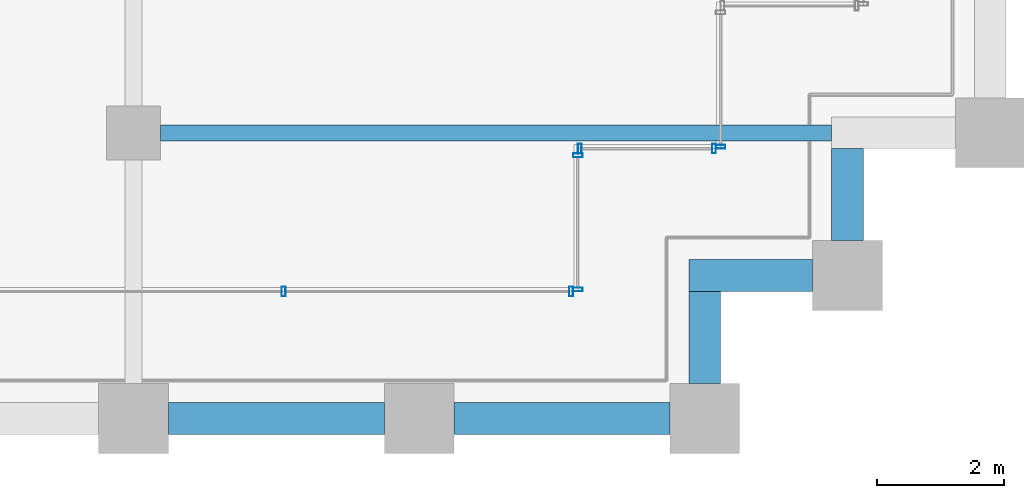
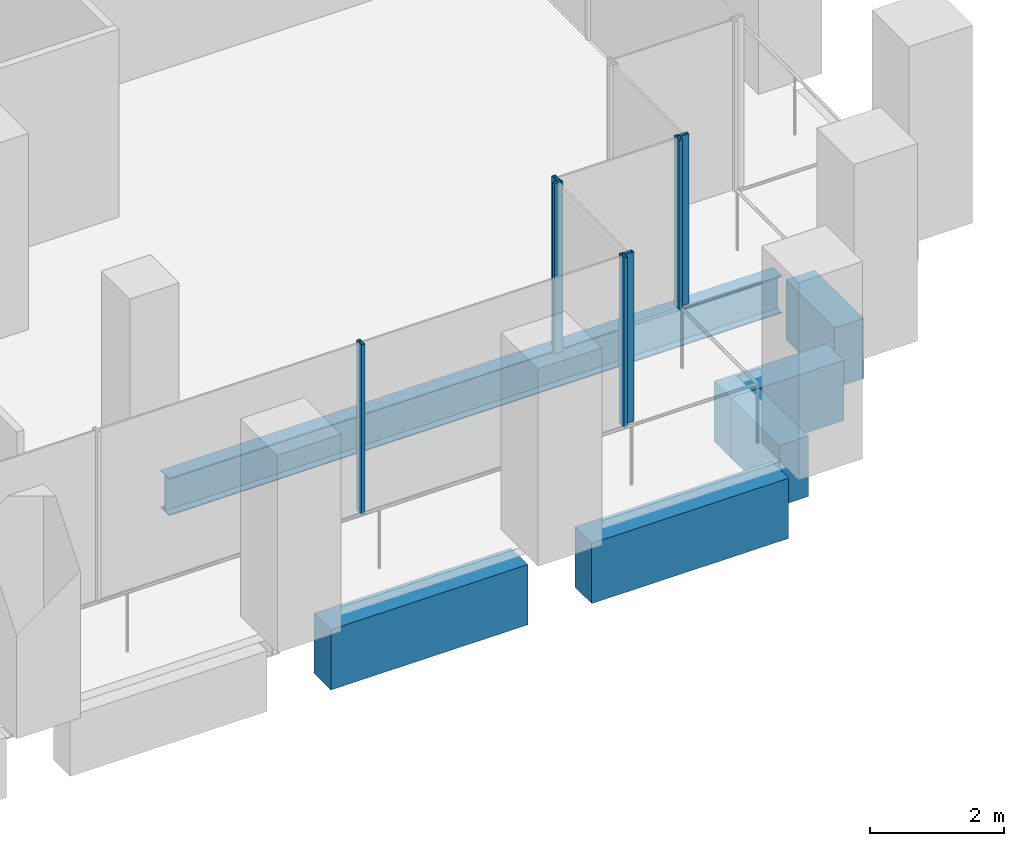
# One storey, part 15 of 54: 7 members, 6 beams, 4 elements without a shape of their own.
"""IFC4 building model written with IfcOpenShell, lengths in metres."""

from ifc_helpers import new_model, si_unit, direction, frame, origin, origin_2d, place, context, subcontext, project, spatial, rectangle, hollow_rectangle, i_section, extrude, material, material_profile, profile_set, type_object, element, aggregate, save


model = new_model("IFC4")

# Units and contexts
model_context = context("Model", 3, precision=1e-05, world=origin(), true_north=direction((0.0, 1.0)))
body_context = subcontext(model_context, "Body", "Model", "MODEL_VIEW")
ifc_project = project(units=[si_unit("LENGTHUNIT", "METRE"), si_unit("AREAUNIT", "SQUARE_METRE"), si_unit("VOLUMEUNIT", "CUBIC_METRE"), si_unit("PLANEANGLEUNIT", "RADIAN"), si_unit("MASSUNIT", "GRAM", prefix="KILO")], contexts=[model_context])

# Site, building, storey
site_placement = place(None, origin())
site = spatial("IfcSite", under=ifc_project, at=site_placement, CompositionType="ELEMENT")
building_placement = place(site_placement, origin())
building = spatial("IfcBuilding", under=site, at=building_placement, Name="Altepetl Exchange Towers", CompositionType="ELEMENT")
storey_placement = place(building_placement, frame((0.0, 0.0, 58.199951171875)))
storey = spatial("IfcBuildingStorey", under=building, at=storey_placement, Name="L13", CompositionType="ELEMENT", Elevation=58.199951171875)

# Beam
ifc_material_1 = material(Name="Steel S355", Category="steel")
ifc_material_profile_1 = material_profile(ifc_material_1, i_section(OverallWidth=0.25390625, OverallDepth=0.68408203125, WebThickness=0.012451171875, FlangeThickness=0.018798828125, at=origin_2d()), Name="W27X94")
ifc_profile_set_1 = profile_set([ifc_material_profile_1], Name="Steel S355")
beam_type_1 = type_object("IfcBeamType", Name="Floor beam W27X94", PredefinedType="BEAM", material=ifc_profile_set_1)
beam_1_placement = place(storey_placement, frame((58.925048828125, 31.5, -0.491943359375), z_axis=(1.0, 0.0, 0.0), x_axis=(0.0, 1.0, 0.0)))
element("IfcBeam", 1, at=beam_1_placement, inside=storey, type_object=beam_type_1, Name="bm:A:L13:006", PredefinedType="BEAM", context=body_context, shape_type="SweptSolid", body=[
    extrude(i_section(OverallWidth=0.25390625, OverallDepth=0.68408203125, WebThickness=0.012451171875, FlangeThickness=0.018798828125, at=origin_2d()), origin(), (0.0, 0.0, 1.0), 10.574951171875),
])

# Curtain wall, members
ifc_material_2 = material(Name="Aluminium 6063-T6 glazing", Category="aluminium")
curtain_wall_type = type_object("IfcCurtainWallType", Name="Loggia glazing system", PredefinedType="NOTDEFINED", material=ifc_material_2)
curtain_wall_1_placement = place(storey_placement, origin())
curtain_wall_1 = element("IfcCurtainWall", 2, at=curtain_wall_1_placement, inside=storey, type_object=curtain_wall_type, Name="CW1 run", PredefinedType="NOTDEFINED")
ifc_material_3 = material(Name="Aluminium 6063-T6", Category="aluminium")
ifc_material_profile_2 = material_profile(ifc_material_3, hollow_rectangle(XDim=0.06005859375, YDim=0.14990234375, WallThickness=0.0029296875, at=origin_2d()), Name="Mullion 60x150 aluminium")
ifc_profile_set_2 = profile_set([ifc_material_profile_2], Name="Aluminium 6063-T6")
member_type = type_object("IfcMemberType", Name="Mullion 60x150 aluminium", PredefinedType="MULLION", material=ifc_profile_set_2)
member_1_placement = place(storey_placement, frame((60.8642578125, 29.0, 0.0)))
member_1 = element("IfcMember", 3, at=member_1_placement, type_object=member_type, Name="MU1 mullion", PredefinedType="MULLION", context=body_context, shape_type="SweptSolid", body=[
    extrude(hollow_rectangle(XDim=0.06005859375, YDim=0.14990234375, WallThickness=0.0029296875, at=origin_2d()), origin(), (0.0, 0.0, 1.0), 3.10009765625),
])
member_2_placement = place(storey_placement, frame((65.39501953125, 29.0, 0.0)))
member_2 = element("IfcMember", 4, at=member_2_placement, type_object=member_type, Name="MU1 mullion", PredefinedType="MULLION", context=body_context, shape_type="SweptSolid", body=[
    extrude(hollow_rectangle(XDim=0.06005859375, YDim=0.14990234375, WallThickness=0.0029296875, at=origin_2d()), origin(), (0.0, 0.0, 1.0), 3.10009765625),
])
aggregate(curtain_wall_1, [member_1, member_2])

curtain_wall_2_placement = place(storey_placement, origin())
curtain_wall_2 = element("IfcCurtainWall", 5, at=curtain_wall_2_placement, inside=storey, type_object=curtain_wall_type, Name="CW1 run", PredefinedType="NOTDEFINED")
member_3_placement = place(storey_placement, frame((65.5, 29.030029296875, 0.0), z_axis=(0.0, 0.0, 1.0), x_axis=(0.0, 1.0, 0.0)))
member_3 = element("IfcMember", 6, at=member_3_placement, type_object=member_type, Name="MU1 mullion", PredefinedType="MULLION", context=body_context, shape_type="SweptSolid", body=[
    extrude(hollow_rectangle(XDim=0.06005859375, YDim=0.14990234375, WallThickness=0.0029296875, at=origin_2d()), origin(), (0.0, 0.0, 1.0), 3.10009765625),
])
member_4_placement = place(storey_placement, frame((65.5, 31.14501953125, 0.0), z_axis=(0.0, 0.0, 1.0), x_axis=(0.0, 1.0, 0.0)))
member_4 = element("IfcMember", 7, at=member_4_placement, type_object=member_type, Name="MU1 mullion", PredefinedType="MULLION", context=body_context, shape_type="SweptSolid", body=[
    extrude(hollow_rectangle(XDim=0.06005859375, YDim=0.14990234375, WallThickness=0.0029296875, at=origin_2d()), origin(), (0.0, 0.0, 1.0), 3.10009765625),
])
aggregate(curtain_wall_2, [member_3, member_4])

curtain_wall_3_placement = place(storey_placement, origin())
curtain_wall_3 = element("IfcCurtainWall", 8, at=curtain_wall_3_placement, inside=storey, type_object=curtain_wall_type, Name="CW1 run", PredefinedType="NOTDEFINED")
member_5_placement = place(storey_placement, frame((65.530029296875, 31.25, 0.0)))
member_5 = element("IfcMember", 9, at=member_5_placement, type_object=member_type, Name="MU1 mullion", PredefinedType="MULLION", context=body_context, shape_type="SweptSolid", body=[
    extrude(hollow_rectangle(XDim=0.06005859375, YDim=0.14990234375, WallThickness=0.0029296875, at=origin_2d()), origin(), (0.0, 0.0, 1.0), 3.10009765625),
])
member_6_placement = place(storey_placement, frame((67.64501953125, 31.25, 0.0)))
member_6 = element("IfcMember", 10, at=member_6_placement, type_object=member_type, Name="MU1 mullion", PredefinedType="MULLION", context=body_context, shape_type="SweptSolid", body=[
    extrude(hollow_rectangle(XDim=0.06005859375, YDim=0.14990234375, WallThickness=0.0029296875, at=origin_2d()), origin(), (0.0, 0.0, 1.0), 3.10009765625),
])
aggregate(curtain_wall_3, [member_5, member_6])

# Curtain wall, member
curtain_wall_4_placement = place(storey_placement, origin())
curtain_wall_4 = element("IfcCurtainWall", 11, at=curtain_wall_4_placement, inside=storey, type_object=curtain_wall_type, Name="CW1 run", PredefinedType="NOTDEFINED")
member_7_placement = place(storey_placement, frame((67.75, 31.280029296875, 0.0), z_axis=(0.0, 0.0, 1.0), x_axis=(0.0, 1.0, 0.0)))
member_7 = element("IfcMember", 12, at=member_7_placement, type_object=member_type, Name="MU1 mullion", PredefinedType="MULLION", context=body_context, shape_type="SweptSolid", body=[
    extrude(hollow_rectangle(XDim=0.06005859375, YDim=0.14990234375, WallThickness=0.0029296875, at=origin_2d()), origin(), (0.0, 0.0, 1.0), 3.10009765625),
])
aggregate(curtain_wall_4, [member_7])

# Beams
ifc_material_4 = material(Name="Concrete C50/60 precast with cantera amarilla facing", Category="concrete")
ifc_material_profile_3 = material_profile(ifc_material_4, rectangle(XDim=0.5, YDim=1.10009765625, at=origin_2d()), Name="500 x 1100")
ifc_profile_set_3 = profile_set([ifc_material_profile_3], Name="Concrete C50/60 precast with cantera amarilla facing")
beam_type_2 = type_object("IfcBeamType", Name="Spandrel beam 500x1100 cantera amarilla", PredefinedType="SPANDREL", material=ifc_profile_set_3)
for number, where, z_axis, x_axis, name in (
    (13, (59.050048828125, 27.0, -0.699951171875), (1.0, 0.0, 0.0), (0.0, 1.0, 0.0), "sp:A:L13:006"),
    (14, (63.550048828125, 27.0, -0.699951171875), (1.0, 0.0, 0.0), (0.0, 1.0, 0.0), "sp:A:L13:007"),
):
    element("IfcBeam", number, at=place(storey_placement, frame(where, z_axis=z_axis, x_axis=x_axis)), inside=storey, type_object=beam_type_2, Name=name, PredefinedType="SPANDREL", context=body_context, shape_type="SweptSolid", body=[
        extrude(rectangle(XDim=0.5, YDim=1.10009765625, at=origin_2d()), origin(), (0.0, 0.0, 1.0), 3.39990234375),
    ])
beam_2_placement = place(storey_placement, frame((67.5, 27.550048828125, -0.699951171875), z_axis=(0.0, 1.0, 0.0), x_axis=(-1.0, 0.0, 0.0)))
element("IfcBeam", 15, at=beam_2_placement, inside=storey, type_object=beam_type_2, Name="sp:A:L13:008", PredefinedType="SPANDREL", context=body_context, shape_type="SweptSolid", body=[
    extrude(rectangle(XDim=0.5, YDim=1.10009765625, at=origin_2d()), origin(), (0.0, 0.0, 1.0), 1.449951171875),
])
beam_3_placement = place(storey_placement, frame((67.25, 29.25, -0.699951171875), z_axis=(1.0, 0.0, 0.0), x_axis=(0.0, 1.0, 0.0)))
element("IfcBeam", 16, at=beam_3_placement, inside=storey, type_object=beam_type_2, Name="sp:A:L13:009", PredefinedType="SPANDREL", context=body_context, shape_type="SweptSolid", body=[
    extrude(rectangle(XDim=0.5, YDim=1.10009765625, at=origin_2d()), origin(), (0.0, 0.0, 1.0), 1.949951171875),
])
beam_4_placement = place(storey_placement, frame((69.75, 29.800048828125, -0.699951171875), z_axis=(0.0, 1.0, 0.0), x_axis=(-1.0, 0.0, 0.0)))
element("IfcBeam", 17, at=beam_4_placement, inside=storey, type_object=beam_type_2, Name="sp:A:L13:010", PredefinedType="SPANDREL", context=body_context, shape_type="SweptSolid", body=[
    extrude(rectangle(XDim=0.5, YDim=1.10009765625, at=origin_2d()), origin(), (0.0, 0.0, 1.0), 1.449951171875),
])

save(model, "model.ifc")
